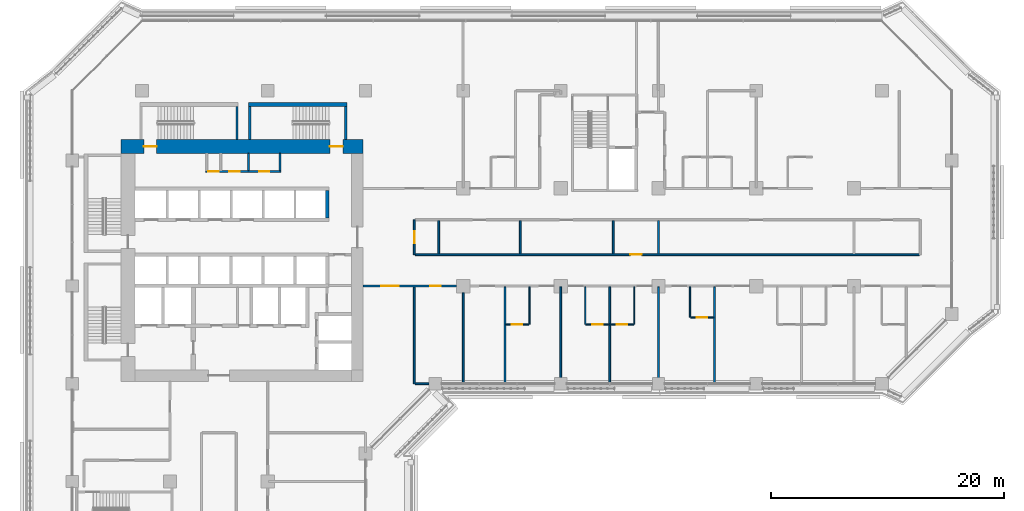
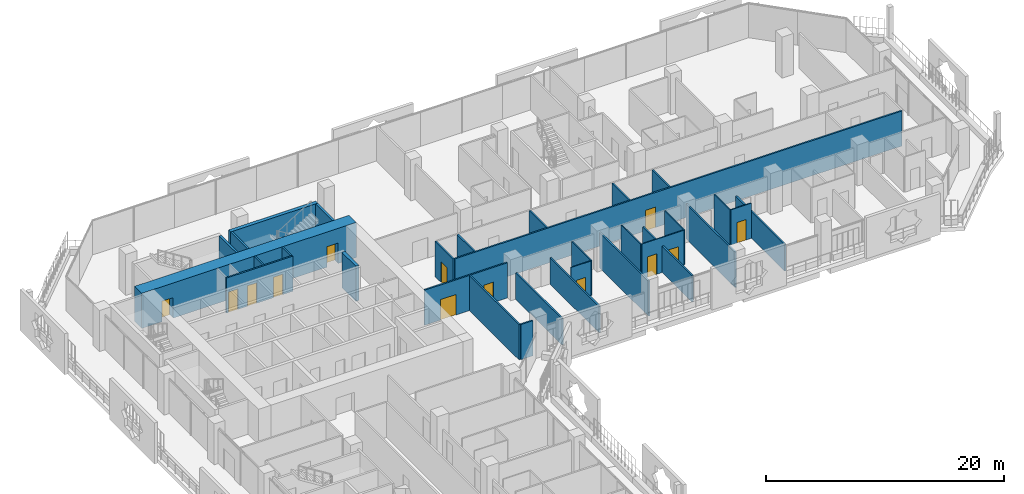
# One storey, part 15 of 25: 31 walls, 13 doors, 13 openings.
"""IFC4 building model written with IfcOpenShell, lengths in metres."""

from ifc_helpers import new_model, si_unit, direction, frame, frame_2d, origin, place, context, subcontext, project, spatial, rectangle, extrude, material, layer, layer_set, type_object, element, fill, save


model = new_model("IFC4")

# Units and contexts
model_context = context("Model", 3, precision=1e-05, world=origin(), true_north=direction((0.0, 1.0)))
body_context = subcontext(model_context, "Body", "Model", "MODEL_VIEW")
ifc_project = project(units=[si_unit("LENGTHUNIT", "METRE"), si_unit("AREAUNIT", "SQUARE_METRE"), si_unit("VOLUMEUNIT", "CUBIC_METRE"), si_unit("PLANEANGLEUNIT", "RADIAN"), si_unit("MASSUNIT", "GRAM", prefix="KILO")], contexts=[model_context])

# Site, building, storey
site_placement = place(None, origin())
site = spatial("IfcSite", under=ifc_project, at=site_placement, CompositionType="ELEMENT")
building_placement = place(site_placement, origin())
building = spatial("IfcBuilding", under=site, at=building_placement, Name="Kawkab Arch Medical Tower", CompositionType="ELEMENT")
storey_placement = place(building_placement, frame((0.0, 0.0, 136.60009765625)))
storey = spatial("IfcBuildingStorey", under=building, at=storey_placement, Name="L31", CompositionType="ELEMENT", Elevation=136.60009765625)

# Wall, openings, doors
ifc_material_1 = material(Name="Concrete C60/75", Category="concrete")
ifc_layer_1 = layer(ifc_material_1, 1.199951171875)
ifc_layer_set_1 = layer_set([ifc_layer_1], Name="Concrete C60/75")
wall_type_1 = type_object("IfcWallType", Name="Core ring wall 1200 C60/75", PredefinedType="SHEAR", material=ifc_layer_set_1)
wall_1_placement = place(storey_placement, frame((4.199951171875, -4.800048828125, 0.0), z_axis=(0.0, 0.0, 1.0), x_axis=(1.0, 0.0, 0.0)))
wall_1 = element("IfcWall", 1, at=wall_1_placement, inside=storey, type_object=wall_type_1, Name="L31 core wall", PredefinedType="SHEAR", context=body_context, shape_type="SweptSolid", body=[
    extrude(rectangle(XDim=20.800048828125, YDim=1.199951171875, at=frame_2d((10.39990234375, 0.0))), origin(), (0.0, 0.0, 1.0), 3.599853515625),
])
opening_1_placement = place(wall_1_placement, frame((1.949951171875, 0.0, 0.0)))
opening_1 = element("IfcOpeningElement", 2, at=opening_1_placement, cuts=wall_1, Name="Opening SD", PredefinedType="OPENING", context=body_context, shape_type="SweptSolid", body=[
    extrude(rectangle(XDim=1.10009765625, YDim=2.10009765625, at=frame_2d((0.550048828125, 1.050048828125))), frame((0.0, 0.60986328125, 0.0), z_axis=(0.0, -1.0, 0.0), x_axis=(1.0, 0.0, 0.0)), (0.0, 0.0, 1.0), 1.219970703125),
])
opening_2_placement = place(wall_1_placement, frame((17.949951171875, 0.0, 0.0)))
opening_2 = element("IfcOpeningElement", 3, at=opening_2_placement, cuts=wall_1, Name="Opening SD", PredefinedType="OPENING", context=body_context, shape_type="SweptSolid", body=[
    extrude(rectangle(XDim=1.10009765625, YDim=2.10009765625, at=frame_2d((0.550048828125, 1.050048828125))), frame((0.0, 0.60986328125, 0.0), z_axis=(0.0, -1.0, 0.0), x_axis=(1.0, 0.0, 0.0)), (0.0, 0.0, 1.0), 1.219970703125),
])
ifc_material_2 = material(Name="Hollow metal fire door leaf")
door_type_1 = type_object("IfcDoorType", Name="Exit stair door 1100", OperationType="SINGLE_SWING_LEFT", PredefinedType="DOOR", material=ifc_material_2)
door_1_placement = place(opening_1_placement, origin())
door_1 = element("IfcDoor", 4, at=door_1_placement, inside=storey, type_object=door_type_1, Name="L31 Exit stair ST3 door", OperationType="SINGLE_SWING_LEFT", OverallHeight=2.10009765625, OverallWidth=1.10009765625, PredefinedType="DOOR", context=body_context, shape_type="SweptSolid", body=[
    extrude(rectangle(XDim=1.10009765625, YDim=2.10009765625, at=frame_2d((0.550048828125, 1.050048828125))), frame((0.0, 0.02490234375, 0.0), z_axis=(0.0, -1.0, 0.0), x_axis=(1.0, 0.0, 0.0)), (0.0, 0.0, 1.0), 0.050048828125),
])
fill(opening_1, door_1)
door_2_placement = place(opening_2_placement, origin())
door_2 = element("IfcDoor", 5, at=door_2_placement, inside=storey, type_object=door_type_1, Name="L31 Exit stair ST4 door", OperationType="SINGLE_SWING_LEFT", OverallHeight=2.10009765625, OverallWidth=1.10009765625, PredefinedType="DOOR", context=body_context, shape_type="SweptSolid", body=[
    extrude(rectangle(XDim=1.10009765625, YDim=2.10009765625, at=frame_2d((0.550048828125, 1.050048828125))), frame((0.0, 0.02490234375, 0.0), z_axis=(0.0, -1.0, 0.0), x_axis=(1.0, 0.0, 0.0)), (0.0, 0.0, 1.0), 0.050048828125),
])
fill(opening_2, door_2)

ifc_material_3 = material(Name="Gypsum board on steel studs", Category="steel")
ifc_layer_2 = layer(ifc_material_3, 0.14990234375)
ifc_layer_set_2 = layer_set([ifc_layer_2], Name="Gypsum board on steel studs")
wall_type_2 = type_object("IfcWallType", Name="Core room partition 150", PredefinedType="PARTITIONING", material=ifc_layer_set_2)
wall_2_placement = place(storey_placement, frame((11.47509765625, -6.949951171875, 0.0), z_axis=(0.0, 0.0, 1.0), x_axis=(1.0, 0.0, 0.0)))
wall_2 = element("IfcWall", 6, at=wall_2_placement, inside=storey, type_object=wall_type_2, Name="L31 core room partition", PredefinedType="PARTITIONING", context=body_context, shape_type="SweptSolid", body=[
    extrude(rectangle(XDim=6.449951171875, YDim=0.14990234375, at=frame_2d((3.22509765625, 0.0))), origin(), (0.0, 0.0, 1.0), 3.599853515625),
])
opening_3_placement = place(wall_2_placement, frame((0.22509765625, 0.0, 0.0)))
opening_3 = element("IfcOpeningElement", 7, at=opening_3_placement, cuts=wall_2, Name="Opening RD", PredefinedType="OPENING", context=body_context, shape_type="SweptSolid", body=[
    extrude(rectangle(XDim=0.89990234375, YDim=2.10009765625, at=frame_2d((0.449951171875, 1.050048828125))), frame((0.0, 0.0849609375, 0.0), z_axis=(0.0, -1.0, 0.0), x_axis=(1.0, 0.0, 0.0)), (0.0, 0.0, 1.0), 0.169921875),
])
opening_4_placement = place(wall_2_placement, frame((2.02490234375, 0.0, 0.0)))
opening_4 = element("IfcOpeningElement", 8, at=opening_4_placement, cuts=wall_2, Name="Opening RD", PredefinedType="OPENING", context=body_context, shape_type="SweptSolid", body=[
    extrude(rectangle(XDim=0.89990234375, YDim=2.10009765625, at=frame_2d((0.449951171875, 1.050048828125))), frame((0.0, 0.0849609375, 0.0), z_axis=(0.0, -1.0, 0.0), x_axis=(1.0, 0.0, 0.0)), (0.0, 0.0, 1.0), 0.169921875),
])
opening_5_placement = place(wall_2_placement, frame((4.574951171875, 0.0, 0.0)))
opening_5 = element("IfcOpeningElement", 9, at=opening_5_placement, cuts=wall_2, Name="Opening RD", PredefinedType="OPENING", context=body_context, shape_type="SweptSolid", body=[
    extrude(rectangle(XDim=0.89990234375, YDim=2.10009765625, at=frame_2d((0.449951171875, 1.050048828125))), frame((0.0, 0.0849609375, 0.0), z_axis=(0.0, -1.0, 0.0), x_axis=(1.0, 0.0, 0.0)), (0.0, 0.0, 1.0), 0.169921875),
])
ifc_material_4 = material(Name="Hollow metal fire door leaf")
door_type_2 = type_object("IfcDoorType", Name="Core room door 900", OperationType="SINGLE_SWING_LEFT", PredefinedType="DOOR", material=ifc_material_4)
door_3_placement = place(opening_3_placement, origin())
door_3 = element("IfcDoor", 10, at=door_3_placement, inside=storey, type_object=door_type_2, Name="L31 Electrical riser room door", OperationType="SINGLE_SWING_LEFT", OverallHeight=2.10009765625, OverallWidth=0.89990234375, PredefinedType="DOOR", context=body_context, shape_type="SweptSolid", body=[
    extrude(rectangle(XDim=0.89990234375, YDim=2.10009765625, at=frame_2d((0.449951171875, 1.050048828125))), frame((0.0, 0.02490234375, 0.0), z_axis=(0.0, -1.0, 0.0), x_axis=(1.0, 0.0, 0.0)), (0.0, 0.0, 1.0), 0.050048828125),
])
fill(opening_3, door_3)
door_4_placement = place(opening_4_placement, origin())
door_4 = element("IfcDoor", 11, at=door_4_placement, inside=storey, type_object=door_type_2, Name="L31 Linen store door", OperationType="SINGLE_SWING_LEFT", OverallHeight=2.10009765625, OverallWidth=0.89990234375, PredefinedType="DOOR", context=body_context, shape_type="SweptSolid", body=[
    extrude(rectangle(XDim=0.89990234375, YDim=2.10009765625, at=frame_2d((0.449951171875, 1.050048828125))), frame((0.0, 0.02490234375, 0.0), z_axis=(0.0, -1.0, 0.0), x_axis=(1.0, 0.0, 0.0)), (0.0, 0.0, 1.0), 0.050048828125),
])
fill(opening_4, door_4)
door_5_placement = place(opening_5_placement, origin())
door_5 = element("IfcDoor", 12, at=door_5_placement, inside=storey, type_object=door_type_2, Name="L31 Clean utility room door", OperationType="SINGLE_SWING_LEFT", OverallHeight=2.10009765625, OverallWidth=0.89990234375, PredefinedType="DOOR", context=body_context, shape_type="SweptSolid", body=[
    extrude(rectangle(XDim=0.89990234375, YDim=2.10009765625, at=frame_2d((0.449951171875, 1.050048828125))), frame((0.0, 0.02490234375, 0.0), z_axis=(0.0, -1.0, 0.0), x_axis=(1.0, 0.0, 0.0)), (0.0, 0.0, 1.0), 0.050048828125),
])
fill(opening_5, door_5)

# Walls
for number, where, z_axis, x_axis, name in (
    (13, (15.14990234375, -6.875, 0.0), (0.0, 0.0, 1.0), (0.0, 1.0, 0.0), "L31 core room partition"),
    (14, (17.85009765625, -6.875, 0.0), (0.0, 0.0, 1.0), (0.0, 1.0, 0.0), "L31 core room partition"),
):
    element("IfcWall", number, at=place(storey_placement, frame(where, z_axis=z_axis, x_axis=x_axis)), inside=storey, type_object=wall_type_2, Name=name, PredefinedType="PARTITIONING", context=body_context, shape_type="SweptSolid", body=[
        extrude(rectangle(XDim=1.47509765625, YDim=0.14990234375, at=frame_2d((0.737548828125, 0.0))), origin(), (0.0, 0.0, 1.0), 3.599853515625),
    ])
ifc_material_5 = material(Name="Concrete C60/75", Category="concrete")
ifc_layer_3 = layer(ifc_material_5, 0.300048828125)
ifc_layer_set_3 = layer_set([ifc_layer_3], Name="Concrete C60/75")
wall_type_3 = type_object("IfcWallType", Name="Core shear wall 300 C60/75", PredefinedType="SHEAR", material=ifc_layer_set_3)
wall_3_placement = place(storey_placement, frame((21.89990234375, -10.949951171875, 0.0), z_axis=(0.0, 0.0, 1.0), x_axis=(0.0, 1.0, 0.0)))
element("IfcWall", 15, at=wall_3_placement, inside=storey, type_object=wall_type_3, Name="L31 core shear wall", PredefinedType="SHEAR", context=body_context, shape_type="SweptSolid", body=[
    extrude(rectangle(XDim=2.349853515625, YDim=0.300048828125, at=frame_2d((1.1748046875, 0.0))), origin(), (0.0, 0.0, 1.0), 3.599853515625),
])

# Wall, opening, door
ifc_material_6 = material(Name="Gypsum board partition on steel studs", Category="steel")
ifc_layer_4 = layer(ifc_material_6, 0.10009765625)
ifc_layer_set_4 = layer_set([ifc_layer_4], Name="Gypsum board partition on steel studs")
wall_type_4 = type_object("IfcWallType", Name="Partition 100", PredefinedType="PARTITIONING", material=ifc_layer_set_4)
wall_4_placement = place(storey_placement, frame((37.27490234375, -20.10009765625, 0.0), z_axis=(0.0, 0.0, 1.0), x_axis=(1.0, 0.0, 0.0)))
wall_4 = element("IfcWall", 16, at=wall_4_placement, inside=storey, type_object=wall_type_4, Name="Partition 100 w005", PredefinedType="PARTITIONING", context=body_context, shape_type="SweptSolid", body=[
    extrude(rectangle(XDim=1.97509765625, YDim=0.10009765625, at=frame_2d((0.987548828125, 0.0))), origin(), (0.0, 0.0, 1.0), 3.599853515625),
])
opening_6_placement = place(wall_4_placement, frame((0.52490234375, 0.0, 0.0)))
opening_6 = element("IfcOpeningElement", 17, at=opening_6_placement, cuts=wall_4, Name="Opening W26-013", PredefinedType="OPENING", context=body_context, shape_type="SweptSolid", body=[
    extrude(rectangle(XDim=0.89990234375, YDim=2.10009765625, at=frame_2d((0.449951171875, 1.050048828125))), frame((0.0, 0.06005859375, 0.0), z_axis=(0.0, -1.0, 0.0), x_axis=(1.0, 0.0, 0.0)), (0.0, 0.0, 1.0), 0.1201171875),
])
ifc_material_7 = material(Name="Timber door leaf", Category="wood")
door_type_3 = type_object("IfcDoorType", Name="Single door 900x2100", OperationType="NOTDEFINED", PredefinedType="DOOR", material=ifc_material_7)
door_6_placement = place(opening_6_placement, origin())
door_6 = element("IfcDoor", 18, at=door_6_placement, inside=storey, type_object=door_type_3, Name="Door W26-013", OperationType="SINGLE_SWING_LEFT", OverallHeight=2.10009765625, OverallWidth=0.89990234375, PredefinedType="DOOR", context=body_context, shape_type="SweptSolid", body=[
    extrude(rectangle(XDim=0.89990234375, YDim=2.10009765625, at=frame_2d((0.449951171875, 1.050048828125))), frame((0.0, 0.02490234375, 0.0), z_axis=(0.0, -1.0, 0.0), x_axis=(1.0, 0.0, 0.0)), (0.0, 0.0, 1.0), 0.050048828125),
])
fill(opening_6, door_6)

# Wall, openings, doors
wall_5_placement = place(storey_placement, frame((44.14990234375, -20.10009765625, 0.0), z_axis=(0.0, 0.0, 1.0), x_axis=(1.0, 0.0, 0.0)))
wall_5 = element("IfcWall", 19, at=wall_5_placement, inside=storey, type_object=wall_type_4, Name="Partition 100 w006", PredefinedType="PARTITIONING", context=body_context, shape_type="SweptSolid", body=[
    extrude(rectangle(XDim=4.10009765625, YDim=0.10009765625, at=frame_2d((2.050048828125, 0.0))), origin(), (0.0, 0.0, 1.0), 3.599853515625),
])
opening_7_placement = place(wall_5_placement, frame((0.550048828125, 0.0, 0.0)))
opening_7 = element("IfcOpeningElement", 20, at=opening_7_placement, cuts=wall_5, Name="Opening W26-014", PredefinedType="OPENING", context=body_context, shape_type="SweptSolid", body=[
    extrude(rectangle(XDim=0.89990234375, YDim=2.10009765625, at=frame_2d((0.449951171875, 1.050048828125))), frame((0.0, 0.06005859375, 0.0), z_axis=(0.0, -1.0, 0.0), x_axis=(1.0, 0.0, 0.0)), (0.0, 0.0, 1.0), 0.1201171875),
])
opening_8_placement = place(wall_5_placement, frame((2.64990234375, 0.0, 0.0)))
opening_8 = element("IfcOpeningElement", 21, at=opening_8_placement, cuts=wall_5, Name="Opening W26-015", PredefinedType="OPENING", context=body_context, shape_type="SweptSolid", body=[
    extrude(rectangle(XDim=0.89990234375, YDim=2.10009765625, at=frame_2d((0.449951171875, 1.050048828125))), frame((0.0, 0.06005859375, 0.0), z_axis=(0.0, -1.0, 0.0), x_axis=(1.0, 0.0, 0.0)), (0.0, 0.0, 1.0), 0.1201171875),
])
door_7_placement = place(opening_7_placement, origin())
door_7 = element("IfcDoor", 22, at=door_7_placement, inside=storey, type_object=door_type_3, Name="Door W26-014", OperationType="SINGLE_SWING_RIGHT", OverallHeight=2.10009765625, OverallWidth=0.89990234375, PredefinedType="DOOR", context=body_context, shape_type="SweptSolid", body=[
    extrude(rectangle(XDim=0.89990234375, YDim=2.10009765625, at=frame_2d((0.449951171875, 1.050048828125))), frame((0.0, 0.02490234375, 0.0), z_axis=(0.0, -1.0, 0.0), x_axis=(1.0, 0.0, 0.0)), (0.0, 0.0, 1.0), 0.050048828125),
])
fill(opening_7, door_7)
door_8_placement = place(opening_8_placement, origin())
door_8 = element("IfcDoor", 23, at=door_8_placement, inside=storey, type_object=door_type_3, Name="Door W26-015", OperationType="SINGLE_SWING_LEFT", OverallHeight=2.10009765625, OverallWidth=0.89990234375, PredefinedType="DOOR", context=body_context, shape_type="SweptSolid", body=[
    extrude(rectangle(XDim=0.89990234375, YDim=2.10009765625, at=frame_2d((0.449951171875, 1.050048828125))), frame((0.0, 0.02490234375, 0.0), z_axis=(0.0, -1.0, 0.0), x_axis=(1.0, 0.0, 0.0)), (0.0, 0.0, 1.0), 0.050048828125),
])
fill(opening_8, door_8)

# Wall, opening, door
wall_6_placement = place(storey_placement, frame((53.14990234375, -19.5, 0.0), z_axis=(0.0, 0.0, 1.0), x_axis=(1.0, 0.0, 0.0)))
wall_6 = element("IfcWall", 24, at=wall_6_placement, inside=storey, type_object=wall_type_4, Name="Partition 100 w009", PredefinedType="PARTITIONING", context=body_context, shape_type="SweptSolid", body=[
    extrude(rectangle(XDim=1.97509765625, YDim=0.10009765625, at=frame_2d((0.987548828125, 0.0))), origin(), (0.0, 0.0, 1.0), 3.599853515625),
])
opening_9_placement = place(wall_6_placement, frame((0.550048828125, 0.0, 0.0)))
opening_9 = element("IfcOpeningElement", 25, at=opening_9_placement, cuts=wall_6, Name="Opening W26-016", PredefinedType="OPENING", context=body_context, shape_type="SweptSolid", body=[
    extrude(rectangle(XDim=0.89990234375, YDim=2.10009765625, at=frame_2d((0.449951171875, 1.050048828125))), frame((0.0, 0.06005859375, 0.0), z_axis=(0.0, -1.0, 0.0), x_axis=(1.0, 0.0, 0.0)), (0.0, 0.0, 1.0), 0.1201171875),
])
door_9_placement = place(opening_9_placement, origin())
door_9 = element("IfcDoor", 26, at=door_9_placement, inside=storey, type_object=door_type_3, Name="Door W26-016", OperationType="SINGLE_SWING_LEFT", OverallHeight=2.10009765625, OverallWidth=0.89990234375, PredefinedType="DOOR", context=body_context, shape_type="SweptSolid", body=[
    extrude(rectangle(XDim=0.89990234375, YDim=2.10009765625, at=frame_2d((0.449951171875, 1.050048828125))), frame((0.0, 0.02490234375, 0.0), z_axis=(0.0, -1.0, 0.0), x_axis=(1.0, 0.0, 0.0)), (0.0, 0.0, 1.0), 0.050048828125),
])
fill(opening_9, door_9)

# Walls
for number, where, z_axis, x_axis, name in (
    (27, (39.300048828125, -20.10009765625, 0.0), (0.0, 0.0, 1.0), (0.0, 1.0, 0.0), "Partition 100 w017"),
    (28, (44.10009765625, -20.10009765625, 0.0), (0.0, 0.0, 1.0), (0.0, 1.0, 0.0), "Partition 100 w018"),
    (29, (48.300048828125, -20.10009765625, 0.0), (0.0, 0.0, 1.0), (0.0, 1.0, 0.0), "Partition 100 w019"),
):
    element("IfcWall", number, at=place(storey_placement, frame(where, z_axis=z_axis, x_axis=x_axis)), inside=storey, type_object=wall_type_4, Name=name, PredefinedType="PARTITIONING", context=body_context, shape_type="SweptSolid", body=[
        extrude(rectangle(XDim=3.22509765625, YDim=0.10009765625, at=frame_2d((1.612548828125, 0.0))), origin(), (0.0, 0.0, 1.0), 3.599853515625),
    ])
wall_7_placement = place(storey_placement, frame((53.10009765625, -19.5, 0.0), z_axis=(0.0, 0.0, 1.0), x_axis=(0.0, 1.0, 0.0)))
element("IfcWall", 30, at=wall_7_placement, inside=storey, type_object=wall_type_4, Name="Partition 100 w021", PredefinedType="PARTITIONING", context=body_context, shape_type="SweptSolid", body=[
    extrude(rectangle(XDim=2.625, YDim=0.10009765625, at=frame_2d((1.3125, 0.0))), origin(), (0.0, 0.0, 1.0), 3.599853515625),
])
ifc_material_8 = material(Name="Gypsum board partition on steel studs, mineral wool", Category="steel")
ifc_layer_5 = layer(ifc_material_8, 0.14990234375)
ifc_layer_set_5 = layer_set([ifc_layer_5], Name="Gypsum board partition on steel studs, mineral wool")
wall_type_5 = type_object("IfcWallType", Name="Partition 150", PredefinedType="PARTITIONING", material=ifc_layer_set_5)
wall_8_placement = place(storey_placement, frame((29.47509765625, -25.199951171875, 0.0), z_axis=(0.0, 0.0, 1.0), x_axis=(1.0, 0.0, 0.0)))
element("IfcWall", 31, at=wall_8_placement, inside=storey, type_object=wall_type_5, Name="Partition 150 w043", PredefinedType="PARTITIONING", context=body_context, shape_type="SweptSolid", body=[
    extrude(rectangle(XDim=1.1748046875, YDim=0.14990234375, at=frame_2d((0.58740234375, 0.0))), origin(), (0.0, 0.0, 1.0), 3.599853515625),
])

# Wall, openings, doors
wall_9_placement = place(storey_placement, frame((25.0, -16.800048828125, 0.0), z_axis=(0.0, 0.0, 1.0), x_axis=(1.0, 0.0, 0.0)))
wall_9 = element("IfcWall", 32, at=wall_9_placement, inside=storey, type_object=wall_type_5, Name="Partition 150 w044", PredefinedType="PARTITIONING", context=body_context, shape_type="SweptSolid", body=[
    extrude(rectangle(XDim=8.02490234375, YDim=0.14990234375, at=frame_2d((4.012451171875, 0.0))), origin(), (0.0, 0.0, 1.0), 3.599853515625),
])
opening_10_placement = place(wall_9_placement, frame((1.550048828125, 0.0, 0.0)))
opening_10 = element("IfcOpeningElement", 33, at=opening_10_placement, cuts=wall_9, Name="Opening W26-001", PredefinedType="OPENING", context=body_context, shape_type="SweptSolid", body=[
    extrude(rectangle(XDim=1.5, YDim=2.10009765625, at=frame_2d((0.75, 1.050048828125))), frame((0.0, 0.0849609375, 0.0), z_axis=(0.0, -1.0, 0.0), x_axis=(1.0, 0.0, 0.0)), (0.0, 0.0, 1.0), 0.169921875),
])
opening_11_placement = place(wall_9_placement, frame((5.761962890625, 0.0, 0.0)))
opening_11 = element("IfcOpeningElement", 34, at=opening_11_placement, cuts=wall_9, Name="Opening W26-012", PredefinedType="OPENING", context=body_context, shape_type="SweptSolid", body=[
    extrude(rectangle(XDim=0.89990234375, YDim=2.10009765625, at=frame_2d((0.449951171875, 1.050048828125))), frame((0.0, 0.0849609375, 0.0), z_axis=(0.0, -1.0, 0.0), x_axis=(1.0, 0.0, 0.0)), (0.0, 0.0, 1.0), 0.169921875),
])
ifc_material_9 = material(Name="Hollow metal door leaf")
door_type_4 = type_object("IfcDoorType", Name="Double door 1500x2100 FD30S", OperationType="NOTDEFINED", PredefinedType="DOOR", material=ifc_material_9)
door_10_placement = place(opening_10_placement, origin())
door_10 = element("IfcDoor", 35, at=door_10_placement, inside=storey, type_object=door_type_4, Name="Door W26-001", OperationType="DOUBLE_DOOR_SINGLE_SWING", OverallHeight=2.10009765625, OverallWidth=1.5, PredefinedType="DOOR", context=body_context, shape_type="SweptSolid", body=[
    extrude(rectangle(XDim=1.5, YDim=2.10009765625, at=frame_2d((0.75, 1.050048828125))), frame((0.0, 0.02490234375, 0.0), z_axis=(0.0, -1.0, 0.0), x_axis=(1.0, 0.0, 0.0)), (0.0, 0.0, 1.0), 0.050048828125),
])
fill(opening_10, door_10)
door_11_placement = place(opening_11_placement, origin())
door_11 = element("IfcDoor", 36, at=door_11_placement, inside=storey, type_object=door_type_3, Name="Door W26-012", OperationType="SINGLE_SWING_LEFT", OverallHeight=2.10009765625, OverallWidth=0.89990234375, PredefinedType="DOOR", context=body_context, shape_type="SweptSolid", body=[
    extrude(rectangle(XDim=0.89990234375, YDim=2.10009765625, at=frame_2d((0.449951171875, 1.050048828125))), frame((0.0, 0.02490234375, 0.0), z_axis=(0.0, -1.0, 0.0), x_axis=(1.0, 0.0, 0.0)), (0.0, 0.0, 1.0), 0.050048828125),
])
fill(opening_11, door_11)

# Wall, opening, door
wall_10_placement = place(storey_placement, frame((29.47509765625, -14.10009765625, 0.0), z_axis=(0.0, 0.0, 1.0), x_axis=(1.0, 0.0, 0.0)))
wall_10 = element("IfcWall", 37, at=wall_10_placement, inside=storey, type_object=wall_type_5, Name="Partition 150 w046", PredefinedType="PARTITIONING", context=body_context, shape_type="SweptSolid", body=[
    extrude(rectangle(XDim=43.349853515625, YDim=0.14990234375, at=frame_2d((21.6748046875, 0.0))), origin(), (0.0, 0.0, 1.0), 3.599853515625),
])
opening_12_placement = place(wall_10_placement, frame((18.47509765625, 0.0, 0.0)))
opening_12 = element("IfcOpeningElement", 38, at=opening_12_placement, cuts=wall_10, Name="Opening W26-028", PredefinedType="OPENING", context=body_context, shape_type="SweptSolid", body=[
    extrude(rectangle(XDim=1.0, YDim=2.10009765625, at=frame_2d((0.5, 1.050048828125))), frame((0.0, 0.0849609375, 0.0), z_axis=(0.0, -1.0, 0.0), x_axis=(1.0, 0.0, 0.0)), (0.0, 0.0, 1.0), 0.169921875),
])
ifc_material_10 = material(Name="Hollow metal door leaf")
door_type_5 = type_object("IfcDoorType", Name="Single door 1000x2100 FD30S", OperationType="NOTDEFINED", PredefinedType="DOOR", material=ifc_material_10)
door_12_placement = place(opening_12_placement, origin())
door_12 = element("IfcDoor", 39, at=door_12_placement, inside=storey, type_object=door_type_5, Name="Door W26-028", OperationType="SINGLE_SWING_LEFT", OverallHeight=2.10009765625, OverallWidth=1.0, PredefinedType="DOOR", context=body_context, shape_type="SweptSolid", body=[
    extrude(rectangle(XDim=1.0, YDim=2.10009765625, at=frame_2d((0.5, 1.050048828125))), frame((0.0, 0.02490234375, 0.0), z_axis=(0.0, -1.0, 0.0), x_axis=(1.0, 0.0, 0.0)), (0.0, 0.0, 1.0), 0.050048828125),
])
fill(opening_12, door_12)

# Wall
wall_11_placement = place(storey_placement, frame((29.39990234375, -25.199951171875, 0.0), z_axis=(0.0, 0.0, 1.0), x_axis=(0.0, 1.0, 0.0)))
element("IfcWall", 40, at=wall_11_placement, inside=storey, type_object=wall_type_5, Name="Partition 150 w064", PredefinedType="PARTITIONING", context=body_context, shape_type="SweptSolid", body=[
    extrude(rectangle(XDim=8.324951171875, YDim=0.14990234375, at=frame_2d((4.16259765625, 0.0))), origin(), (0.0, 0.0, 1.0), 3.599853515625),
])

# Wall, opening, door
wall_12_placement = place(storey_placement, frame((29.39990234375, -14.10009765625, 0.0), z_axis=(0.0, 0.0, 1.0), x_axis=(0.0, 1.0, 0.0)))
wall_12 = element("IfcWall", 41, at=wall_12_placement, inside=storey, type_object=wall_type_5, Name="Partition 150 w065", PredefinedType="PARTITIONING", context=body_context, shape_type="SweptSolid", body=[
    extrude(rectangle(XDim=3.0, YDim=0.14990234375, at=frame_2d((1.5, 0.0))), origin(), (0.0, 0.0, 1.0), 3.599853515625),
])
opening_13_placement = place(wall_12_placement, frame((1.0, 0.0, 0.0)))
opening_13 = element("IfcOpeningElement", 42, at=opening_13_placement, cuts=wall_12, Name="Opening W26-025", PredefinedType="OPENING", context=body_context, shape_type="SweptSolid", body=[
    extrude(rectangle(XDim=1.0, YDim=2.10009765625, at=frame_2d((0.5, 1.050048828125))), frame((0.0, 0.0849609375, 0.0), z_axis=(0.0, -1.0, 0.0), x_axis=(1.0, 0.0, 0.0)), (0.0, 0.0, 1.0), 0.169921875),
])
ifc_material_11 = material(Name="Timber door leaf", Category="wood")
door_type_6 = type_object("IfcDoorType", Name="Single door 1000x2100", OperationType="NOTDEFINED", PredefinedType="DOOR", material=ifc_material_11)
door_13_placement = place(opening_13_placement, origin())
door_13 = element("IfcDoor", 43, at=door_13_placement, inside=storey, type_object=door_type_6, Name="Door W26-025", OperationType="SINGLE_SWING_RIGHT", OverallHeight=2.10009765625, OverallWidth=1.0, PredefinedType="DOOR", context=body_context, shape_type="SweptSolid", body=[
    extrude(rectangle(XDim=1.0, YDim=2.10009765625, at=frame_2d((0.5, 1.050048828125))), frame((0.0, 0.02490234375, 0.0), z_axis=(0.0, -1.0, 0.0), x_axis=(1.0, 0.0, 0.0)), (0.0, 0.0, 1.0), 0.050048828125),
])
fill(opening_13, door_13)

# Walls
wall_13_placement = place(storey_placement, frame((31.5, -14.02490234375, 0.0), z_axis=(0.0, 0.0, 1.0), x_axis=(0.0, 1.0, 0.0)))
element("IfcWall", 44, at=wall_13_placement, inside=storey, type_object=wall_type_5, Name="Partition 150 w066", PredefinedType="PARTITIONING", context=body_context, shape_type="SweptSolid", body=[
    extrude(rectangle(XDim=2.849853515625, YDim=0.14990234375, at=frame_2d((1.4248046875, 0.0))), origin(), (0.0, 0.0, 1.0), 3.599853515625),
])
wall_14_placement = place(storey_placement, frame((33.60009765625, -25.1201171875, 0.0), z_axis=(0.0, 0.0, 1.0), x_axis=(0.0, 1.0, 0.0)))
element("IfcWall", 45, at=wall_14_placement, inside=storey, type_object=wall_type_5, Name="Partition 150 w068", PredefinedType="PARTITIONING", context=body_context, shape_type="SweptSolid", body=[
    extrude(rectangle(XDim=7.7451171875, YDim=0.14990234375, at=frame_2d((3.87255859375, 0.0))), origin(), (0.0, 0.0, 1.0), 2.699951171875),
])
wall_15_placement = place(storey_placement, frame((37.199951171875, -25.1201171875, 0.0), z_axis=(0.0, 0.0, 1.0), x_axis=(0.0, 1.0, 0.0)))
element("IfcWall", 46, at=wall_15_placement, inside=storey, type_object=wall_type_5, Name="Partition 150 w070", PredefinedType="PARTITIONING", context=body_context, shape_type="SweptSolid", body=[
    extrude(rectangle(XDim=8.2451171875, YDim=0.14990234375, at=frame_2d((4.12255859375, 0.0))), origin(), (0.0, 0.0, 1.0), 2.699951171875),
])
wall_16_placement = place(storey_placement, frame((38.5, -14.02490234375, 0.0), z_axis=(0.0, 0.0, 1.0), x_axis=(0.0, 1.0, 0.0)))
element("IfcWall", 47, at=wall_16_placement, inside=storey, type_object=wall_type_5, Name="Partition 150 w072", PredefinedType="PARTITIONING", context=body_context, shape_type="SweptSolid", body=[
    extrude(rectangle(XDim=2.849853515625, YDim=0.14990234375, at=frame_2d((1.4248046875, 0.0))), origin(), (0.0, 0.0, 1.0), 3.599853515625),
])
wall_17_placement = place(storey_placement, frame((42.0, -25.1201171875, 0.0), z_axis=(0.0, 0.0, 1.0), x_axis=(0.0, 1.0, 0.0)))
element("IfcWall", 48, at=wall_17_placement, inside=storey, type_object=wall_type_5, Name="Partition 150 w075", PredefinedType="PARTITIONING", context=body_context, shape_type="SweptSolid", body=[
    extrude(rectangle(XDim=8.2451171875, YDim=0.14990234375, at=frame_2d((4.12255859375, 0.0))), origin(), (0.0, 0.0, 1.0), 3.599853515625),
])
wall_18_placement = place(storey_placement, frame((46.199951171875, -25.1201171875, 0.0), z_axis=(0.0, 0.0, 1.0), x_axis=(0.0, 1.0, 0.0)))
element("IfcWall", 49, at=wall_18_placement, inside=storey, type_object=wall_type_5, Name="Partition 150 w077", PredefinedType="PARTITIONING", context=body_context, shape_type="SweptSolid", body=[
    extrude(rectangle(XDim=8.2451171875, YDim=0.14990234375, at=frame_2d((4.12255859375, 0.0))), origin(), (0.0, 0.0, 1.0), 2.699951171875),
])
wall_19_placement = place(storey_placement, frame((46.5, -14.02490234375, 0.0), z_axis=(0.0, 0.0, 1.0), x_axis=(0.0, 1.0, 0.0)))
element("IfcWall", 50, at=wall_19_placement, inside=storey, type_object=wall_type_5, Name="Partition 150 w078", PredefinedType="PARTITIONING", context=body_context, shape_type="SweptSolid", body=[
    extrude(rectangle(XDim=2.849853515625, YDim=0.14990234375, at=frame_2d((1.4248046875, 0.0))), origin(), (0.0, 0.0, 1.0), 3.599853515625),
])
wall_20_placement = place(storey_placement, frame((50.39990234375, -25.1201171875, 0.0), z_axis=(0.0, 0.0, 1.0), x_axis=(0.0, 1.0, 0.0)))
element("IfcWall", 51, at=wall_20_placement, inside=storey, type_object=wall_type_5, Name="Partition 150 w081", PredefinedType="PARTITIONING", context=body_context, shape_type="SweptSolid", body=[
    extrude(rectangle(XDim=8.2451171875, YDim=0.14990234375, at=frame_2d((4.12255859375, 0.0))), origin(), (0.0, 0.0, 1.0), 3.599853515625),
])
wall_21_placement = place(storey_placement, frame((50.39990234375, -14.02490234375, 0.0), z_axis=(0.0, 0.0, 1.0), x_axis=(0.0, 1.0, 0.0)))
element("IfcWall", 52, at=wall_21_placement, inside=storey, type_object=wall_type_5, Name="Partition 150 w082", PredefinedType="PARTITIONING", context=body_context, shape_type="SweptSolid", body=[
    extrude(rectangle(XDim=2.849853515625, YDim=0.14990234375, at=frame_2d((1.4248046875, 0.0))), origin(), (0.0, 0.0, 1.0), 3.599853515625),
])
wall_22_placement = place(storey_placement, frame((55.199951171875, -25.1201171875, 0.0), z_axis=(0.0, 0.0, 1.0), x_axis=(0.0, 1.0, 0.0)))
element("IfcWall", 53, at=wall_22_placement, inside=storey, type_object=wall_type_5, Name="Partition 150 w086", PredefinedType="PARTITIONING", context=body_context, shape_type="SweptSolid", body=[
    extrude(rectangle(XDim=8.2451171875, YDim=0.14990234375, at=frame_2d((4.12255859375, 0.0))), origin(), (0.0, 0.0, 1.0), 2.699951171875),
])
ifc_material_12 = material(Name="Concrete C50/60", Category="concrete")
ifc_layer_6 = layer(ifc_material_12, 0.199951171875)
ifc_layer_set_6 = layer_set([ifc_layer_6], Name="Concrete C50/60")
wall_type_6 = type_object("IfcWallType", Name="Stair enclosure wall 200 C50/60", PredefinedType="SHEAR", material=ifc_layer_set_6)
for number, where, z_axis, x_axis, name in (
    (54, (14.14990234375, -4.199951171875, 0.0), (0.0, 0.0, 1.0), (0.0, 1.0, 0.0), "L31 stair enclosure wall"),
    (55, (15.25, -4.199951171875, 0.0), (0.0, 0.0, 1.0), (0.0, 1.0, 0.0), "L31 stair enclosure wall"),
    (56, (23.5, -4.199951171875, 0.0), (0.0, 0.0, 1.0), (0.0, 1.0, 0.0), "L31 stair enclosure wall"),
):
    element("IfcWall", number, at=place(storey_placement, frame(where, z_axis=z_axis, x_axis=x_axis)), inside=storey, type_object=wall_type_6, Name=name, PredefinedType="SHEAR", context=body_context, shape_type="SweptSolid", body=[
        extrude(rectangle(XDim=2.849853515625, YDim=0.199951171875, at=frame_2d((1.4248046875, 0.0))), origin(), (0.0, 0.0, 1.0), 3.599853515625),
    ])
ifc_material_13 = material(Name="Concrete C50/60", Category="concrete")
ifc_layer_7 = layer(ifc_material_13, 0.35009765625)
ifc_layer_set_7 = layer_set([ifc_layer_7], Name="Concrete C50/60")
wall_type_7 = type_object("IfcWallType", Name="Stair enclosure wall 350 C50/60", PredefinedType="SHEAR", material=ifc_layer_set_7)
wall_23_placement = place(storey_placement, frame((15.14990234375, -1.175048828125, 0.0), z_axis=(0.0, 0.0, 1.0), x_axis=(1.0, 0.0, 0.0)))
element("IfcWall", 57, at=wall_23_placement, inside=storey, type_object=wall_type_7, Name="L31 stair enclosure wall", PredefinedType="SHEAR", context=body_context, shape_type="SweptSolid", body=[
    extrude(rectangle(XDim=8.4501953125, YDim=0.35009765625, at=frame_2d((4.22509765625, 0.0))), origin(), (0.0, 0.0, 1.0), 3.599853515625),
])

save(model, "model.ifc")
